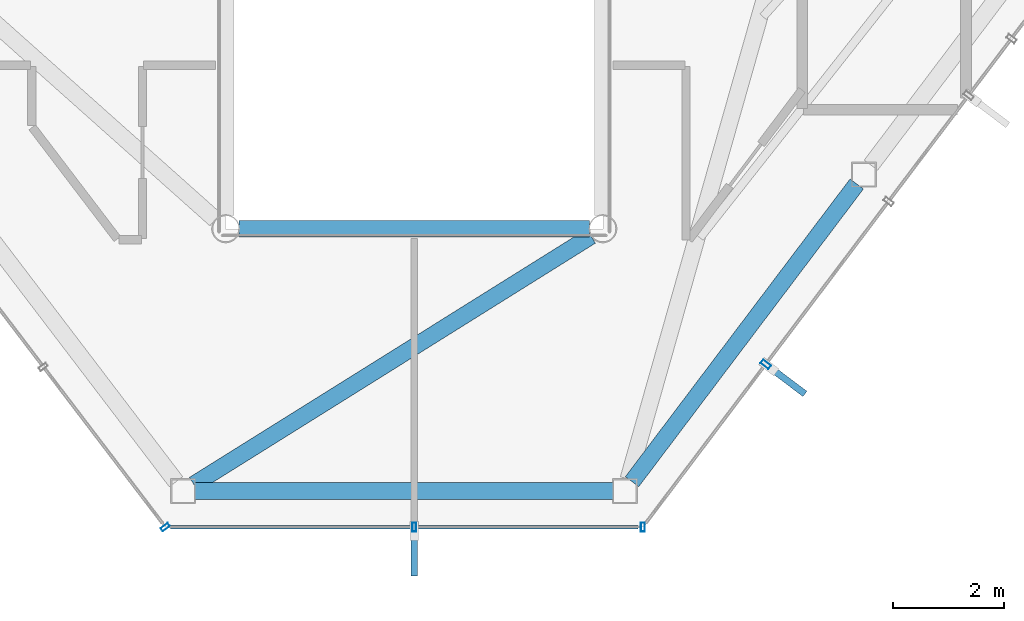
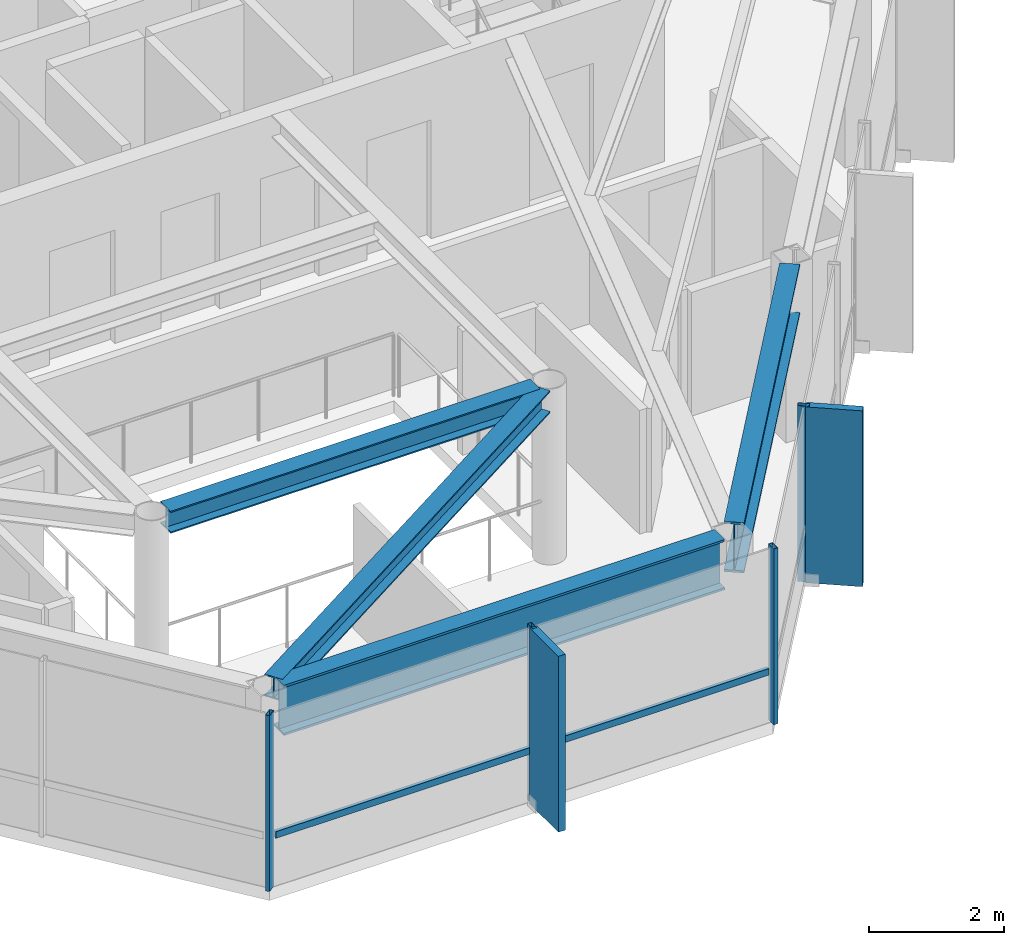
# One storey, part 7 of 23: 7 members, 4 beams, 3 elements without a shape of their own.
"""IFC4 building model written with IfcOpenShell, lengths in metres."""

from ifc_helpers import new_model, si_unit, direction, frame, origin, origin_2d, place, context, subcontext, project, spatial, rectangle, hollow_rectangle, i_section, extrude, material, layer, layer_set, material_profile, profile_set, type_object, element, aggregate, save


model = new_model("IFC4")

# Units and contexts
model_context = context("Model", 3, precision=1e-05, world=origin(), true_north=direction((0.0, 1.0)))
body_context = subcontext(model_context, "Body", "Model", "MODEL_VIEW")
ifc_project = project(units=[si_unit("LENGTHUNIT", "METRE"), si_unit("AREAUNIT", "SQUARE_METRE"), si_unit("VOLUMEUNIT", "CUBIC_METRE"), si_unit("PLANEANGLEUNIT", "RADIAN"), si_unit("MASSUNIT", "GRAM", prefix="KILO")], contexts=[model_context])

# Site, building, storey
site_placement = place(None, origin())
site = spatial("IfcSite", under=ifc_project, at=site_placement, CompositionType="ELEMENT")
building_placement = place(site_placement, origin())
building = spatial("IfcBuilding", under=site, at=building_placement, Name="Zarrinselat Tower", CompositionType="ELEMENT")
storey_placement = place(building_placement, frame((0.0, 0.0, 278.800048828125)))
storey = spatial("IfcBuildingStorey", under=building, at=storey_placement, Name="L71", CompositionType="ELEMENT", Elevation=278.800048828125)

# Beams
ifc_material_1 = material(Name="Steel S355J2", Category="steel")
ifc_material_profile_1 = material_profile(ifc_material_1, i_section(OverallWidth=0.300048828125, OverallDepth=0.39990234375, WebThickness=0.013427734375, FlangeThickness=0.02392578125, at=origin_2d()), Name="HEB 400")
ifc_profile_set_1 = profile_set([ifc_material_profile_1], Name="Steel S355J2")
beam_type_1 = type_object("IfcBeamType", Name="BM-HEB400", PredefinedType="BEAM", material=ifc_profile_set_1)
beam_1_placement = place(storey_placement, frame((35.239990234375, 25.199951171875, 2.97998046875), z_axis=(1.0, 0.0, 0.0), x_axis=(0.0, 1.0, 0.0)))
element("IfcBeam", 1, at=beam_1_placement, inside=storey, type_object=beam_type_1, Name="L71 Atrium Edge Beam S", PredefinedType="BEAM", context=body_context, shape_type="SweptSolid", body=[
    extrude(i_section(OverallWidth=0.300048828125, OverallDepth=0.39990234375, WebThickness=0.013427734375, FlangeThickness=0.02392578125, at=origin_2d()), origin(), (0.0, 0.0, 1.0), 6.320068359375),
])
beam_2_placement = place(storey_placement, frame((34.424560546875, 20.58935546875, 2.97998046875), z_axis=(0.847947969132, 0.530079467292, 0.0), x_axis=(-0.530079467292, 0.847947969132, 0.0)))
element("IfcBeam", 2, at=beam_2_placement, inside=storey, type_object=beam_type_1, Name="L71 Radial Primary Girder RG10", PredefinedType="BEAM", context=body_context, shape_type="SweptSolid", body=[
    extrude(i_section(OverallWidth=0.300048828125, OverallDepth=0.39990234375, WebThickness=0.013427734375, FlangeThickness=0.02392578125, at=origin_2d()), origin(), (0.0, 0.0, 1.0), 8.44775390625),
])
ifc_material_2 = material(Name="Steel S460M", Category="steel")
ifc_material_profile_2 = material_profile(ifc_material_2, i_section(OverallWidth=0.302001953125, OverallDepth=0.909912109375, WebThickness=0.02099609375, FlangeThickness=0.0400390625, at=origin_2d()), Name="HEM 900")
ifc_profile_set_2 = profile_set([ifc_material_profile_2], Name="Steel S460M")
beam_type_2 = type_object("IfcBeamType", Name="BM-HEM900", PredefinedType="BEAM", material=ifc_profile_set_2)
beam_3_placement = place(storey_placement, frame((34.445068359375, 20.468994140625, 2.724853515625), z_axis=(1.0, 0.0, 0.0), x_axis=(0.0, 1.0, 0.0)))
element("IfcBeam", 3, at=beam_3_placement, inside=storey, type_object=beam_type_2, Name="L71 Perimeter Spandrel Girder SP10", PredefinedType="BEAM", context=body_context, shape_type="SweptSolid", body=[
    extrude(i_section(OverallWidth=0.302001953125, OverallDepth=0.909912109375, WebThickness=0.02099609375, FlangeThickness=0.0400390625, at=origin_2d()), origin(), (0.0, 0.0, 1.0), 7.541015625),
])
beam_4_placement = place(storey_placement, frame((42.327392578125, 20.63916015625, 2.724853515625), z_axis=(0.602447918668, 0.798158195656, 0.0), x_axis=(-0.798158195656, 0.602447918668, 0.0)))
element("IfcBeam", 4, at=beam_4_placement, inside=storey, type_object=beam_type_2, Name="L71 Perimeter Spandrel Girder SP11", PredefinedType="BEAM", context=body_context, shape_type="SweptSolid", body=[
    extrude(i_section(OverallWidth=0.302001953125, OverallDepth=0.909912109375, WebThickness=0.02099609375, FlangeThickness=0.0400390625, at=origin_2d()), origin(), (0.0, 0.0, 1.0), 6.726318359375),
])

# Curtain wall, member
ifc_material_3 = material(Name="Extruded Aluminium Alloy EN AW-6063 T6", Category="aluminium")
ifc_layer_1 = layer(ifc_material_3, 0.199951171875)
ifc_layer_set_1 = layer_set([ifc_layer_1], Name="Extruded Aluminium Alloy EN AW-6063 T6")
curtain_wall_type_1 = type_object("IfcCurtainWallType", Name="CWS-BLADE", PredefinedType="NOTDEFINED", material=ifc_layer_set_1)
curtain_wall_1_placement = place(storey_placement, origin())
curtain_wall_1 = element("IfcCurtainWall", 5, at=curtain_wall_1_placement, inside=storey, type_object=curtain_wall_type_1, Name="L71 Unitised Curtain Wall CW-L71-E05", PredefinedType="NOTDEFINED")
ifc_material_4 = material(Name="Extruded Aluminium Alloy EN AW-6063 T6", Category="aluminium")
ifc_material_profile_3 = material_profile(ifc_material_4, hollow_rectangle(XDim=0.080078125, YDim=0.179931640625, WallThickness=0.0048828125, at=origin_2d()), Name="RHS 180x80x5")
ifc_profile_set_3 = profile_set([ifc_material_profile_3], Name="Extruded Aluminium Alloy EN AW-6063 T6")
member_type_1 = type_object("IfcMemberType", Name="MEM-CW-MUL", PredefinedType="MULLION", material=ifc_profile_set_3)
member_1_placement = place(storey_placement, frame((44.73876953125, 22.7548828125, 0.0), z_axis=(0.0, 0.0, 1.0), x_axis=(0.602445101176, 0.798160322284, 0.0)))
member_1 = element("IfcMember", 6, at=member_1_placement, type_object=member_type_1, Name="CW-L71-E05 Mullion 1", PredefinedType="MULLION", context=body_context, shape_type="SweptSolid", body=[
    extrude(hollow_rectangle(XDim=0.080078125, YDim=0.179931640625, WallThickness=0.0048828125, at=origin_2d()), origin(), (0.0, 0.0, 1.0), 3.179931640625),
])

ifc_material_5 = material(Name="Extruded Aluminium Alloy EN AW-6063 T6", Category="aluminium")
ifc_layer_2 = layer(ifc_material_5, 0.169921875)
ifc_layer_set_2 = layer_set([ifc_layer_2], Name="Extruded Aluminium Alloy EN AW-6063 T6")
curtain_wall_type_2 = type_object("IfcCurtainWallType", Name="CWS-RES", PredefinedType="NOTDEFINED", material=ifc_layer_set_2)
curtain_wall_2_placement = place(storey_placement, origin())
curtain_wall_2 = element("IfcCurtainWall", 7, at=curtain_wall_2_placement, inside=storey, type_object=curtain_wall_type_2, Name="L71 Unitised Curtain Wall CW-L71-E03", PredefinedType="NOTDEFINED")
ifc_material_6 = material(Name="Extruded Aluminium Alloy EN AW-6063 T6", Category="aluminium")
ifc_material_profile_4 = material_profile(ifc_material_6, hollow_rectangle(XDim=0.070068359375, YDim=0.159912109375, WallThickness=0.00390625, at=origin_2d()), Name="RHS 160x70x4")
ifc_profile_set_4 = profile_set([ifc_material_profile_4], Name="Extruded Aluminium Alloy EN AW-6063 T6")
member_type_2 = type_object("IfcMemberType", Name="MEM-CW-MUL2", PredefinedType="MULLION", material=ifc_profile_set_4)
member_2_placement = place(storey_placement, frame((33.909912109375, 19.819091796875, 0.0), z_axis=(0.0, 0.0, 1.0), x_axis=(0.60576733126, -0.795641841772, 0.0)))
member_2 = element("IfcMember", 8, at=member_2_placement, type_object=member_type_2, Name="CW-L71-E03 Mullion 9", PredefinedType="MULLION", context=body_context, shape_type="SweptSolid", body=[
    extrude(hollow_rectangle(XDim=0.070068359375, YDim=0.159912109375, WallThickness=0.00390625, at=origin_2d()), origin(), (0.0, 0.0, 1.0), 3.179931640625),
])
aggregate(curtain_wall_2, [member_2])

# Curtain wall, members
curtain_wall_3_placement = place(storey_placement, origin())
curtain_wall_3 = element("IfcCurtainWall", 9, at=curtain_wall_3_placement, inside=storey, type_object=curtain_wall_type_2, Name="L71 Unitised Curtain Wall CW-L71-E04", PredefinedType="NOTDEFINED")
member_3_placement = place(storey_placement, frame((38.39990234375, 19.819091796875, 0.0), z_axis=(0.0, 0.0, 1.0), x_axis=(1.0, 0.0, 0.0)))
member_3 = element("IfcMember", 10, at=member_3_placement, type_object=member_type_2, Name="CW-L71-E04 Mullion 1", PredefinedType="MULLION", context=body_context, shape_type="SweptSolid", body=[
    extrude(hollow_rectangle(XDim=0.070068359375, YDim=0.159912109375, WallThickness=0.00390625, at=origin_2d()), origin(), (0.0, 0.0, 1.0), 3.179931640625),
])
member_4_placement = place(storey_placement, frame((42.522705078125, 19.819091796875, 0.0), z_axis=(0.0, 0.0, 1.0), x_axis=(1.0, 0.0, 0.0)))
member_4 = element("IfcMember", 11, at=member_4_placement, type_object=member_type_2, Name="CW-L71-E04 Mullion 2", PredefinedType="MULLION", context=body_context, shape_type="SweptSolid", body=[
    extrude(hollow_rectangle(XDim=0.070068359375, YDim=0.159912109375, WallThickness=0.00390625, at=origin_2d()), origin(), (0.0, 0.0, 1.0), 3.179931640625),
])
ifc_material_7 = material(Name="Extruded Aluminium Alloy EN AW-6063 T6", Category="aluminium")
ifc_material_profile_5 = material_profile(ifc_material_7, hollow_rectangle(XDim=0.06005859375, YDim=0.1201171875, WallThickness=0.00390625, at=origin_2d()), Name="RHS 120x60x4")
ifc_profile_set_5 = profile_set([ifc_material_profile_5], Name="Extruded Aluminium Alloy EN AW-6063 T6")
member_type_3 = type_object("IfcMemberType", Name="MEM-CW-TRN2", PredefinedType="USERDEFINED", material=ifc_profile_set_5)
member_5_placement = place(storey_placement, frame((34.0, 19.819091796875, 0.949951171875), z_axis=(1.0, 0.0, 0.0), x_axis=(0.0, 1.0, 0.0)))
member_5 = element("IfcMember", 12, at=member_5_placement, type_object=member_type_3, Name="CW-L71-E04 Transom 1", ObjectType="TRANSOM", PredefinedType="USERDEFINED", context=body_context, shape_type="SweptSolid", body=[
    extrude(hollow_rectangle(XDim=0.06005859375, YDim=0.1201171875, WallThickness=0.00390625, at=origin_2d()), origin(), (0.0, 0.0, 1.0), 8.432861328125),
])
ifc_material_8 = material(Name="Honed Cream Travertine Stone", Category="masonry")
ifc_material_profile_6 = material_profile(ifc_material_8, rectangle(XDim=0.1201171875, YDim=0.85009765625, at=origin_2d()), Name="FIN 850x120")
ifc_profile_set_6 = profile_set([ifc_material_profile_6], Name="Honed Cream Travertine Stone")
member_type_4 = type_object("IfcMemberType", Name="MEM-STONE-FIN", PredefinedType="USERDEFINED", material=ifc_profile_set_6)
member_6_placement = place(storey_placement, frame((38.39990234375, 19.359130859375, 0.0), z_axis=(0.0, 0.0, 1.0), x_axis=(-1.0, 0.0, 0.0)))
member_6 = element("IfcMember", 13, at=member_6_placement, type_object=member_type_4, Name="L71 Stone Shading Fin CW-L71-E04-01", ObjectType="FIN", PredefinedType="USERDEFINED", context=body_context, shape_type="SweptSolid", body=[
    extrude(rectangle(XDim=0.1201171875, YDim=0.85009765625, at=origin_2d()), origin(), (0.0, 0.0, 1.0), 3.179931640625),
])
aggregate(curtain_wall_3, [member_3, member_6, member_4, member_5])

# Member
member_7_placement = place(storey_placement, frame((45.10595703125, 22.477783203125, 0.0), z_axis=(0.0, 0.0, 1.0), x_axis=(-0.602445101176, -0.798160322284, 0.0)))
member_7 = element("IfcMember", 14, at=member_7_placement, type_object=member_type_4, Name="L71 Stone Shading Fin CW-L71-E05-01", ObjectType="FIN", PredefinedType="USERDEFINED", context=body_context, shape_type="SweptSolid", body=[
    extrude(rectangle(XDim=0.1201171875, YDim=0.85009765625, at=origin_2d()), origin(), (0.0, 0.0, 1.0), 3.179931640625),
])

aggregate(curtain_wall_1, [member_1, member_7])

save(model, "model.ifc")
